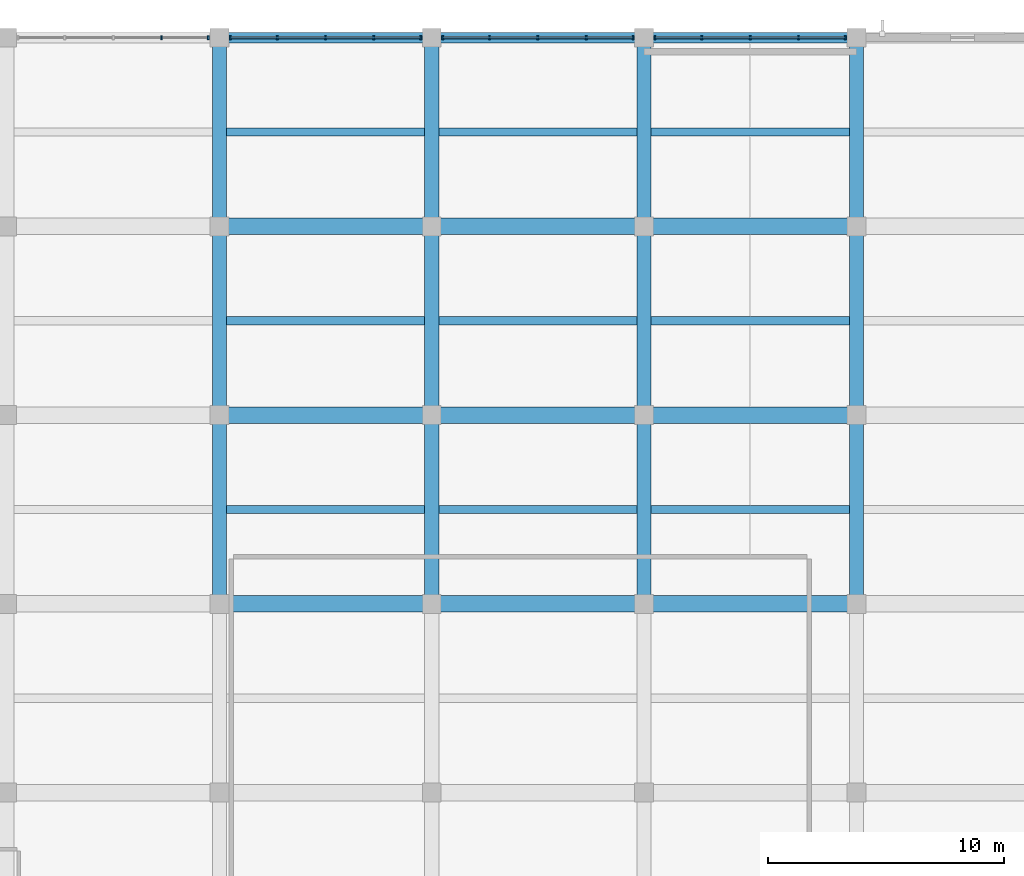
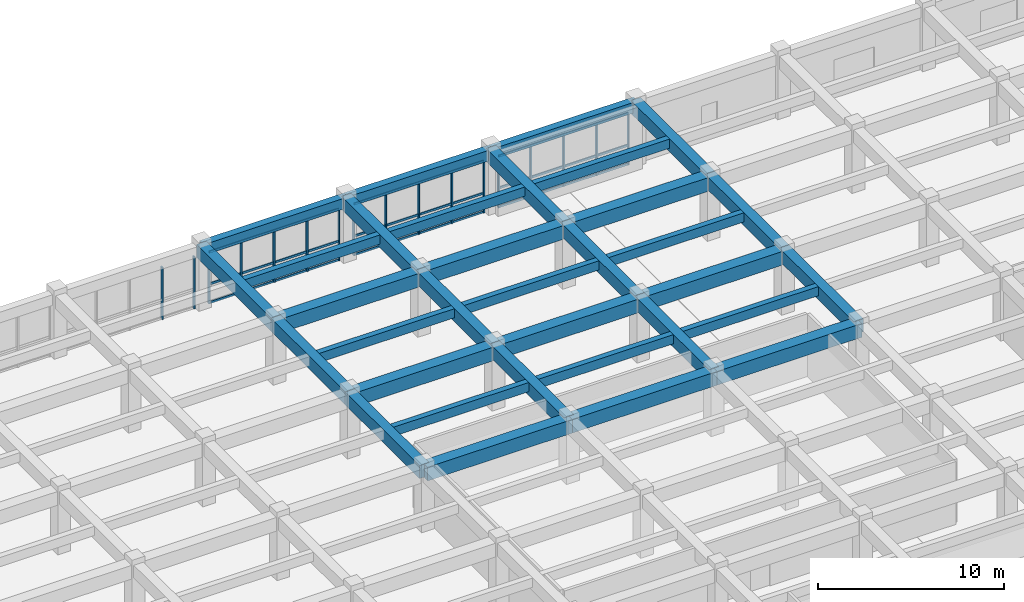
# One storey, part 17 of 50: 33 beams, 26 members, 4 elements without a shape of their own.
"""IFC4 building model written with IfcOpenShell, lengths in metres."""

from ifc_helpers import new_model, si_unit, direction, frame, origin, origin_2d, place, context, subcontext, project, spatial, rectangle, extrude, material, material_profile, profile_set, type_object, element, aggregate, save


model = new_model("IFC4")

# Units and contexts
model_context = context("Model", 3, precision=1e-05, world=origin(), true_north=direction((0.0, 1.0)))
body_context = subcontext(model_context, "Body", "Model", "MODEL_VIEW")
ifc_project = project(units=[si_unit("LENGTHUNIT", "METRE"), si_unit("AREAUNIT", "SQUARE_METRE"), si_unit("VOLUMEUNIT", "CUBIC_METRE"), si_unit("PLANEANGLEUNIT", "RADIAN"), si_unit("MASSUNIT", "GRAM", prefix="KILO")], contexts=[model_context])

# Site, building, storey
site_placement = place(None, origin())
site = spatial("IfcSite", under=ifc_project, at=site_placement, CompositionType="ELEMENT")
building_placement = place(site_placement, origin())
building = spatial("IfcBuilding", under=site, at=building_placement, Name="Zaverband Oceanarium and Marine Research Institute", CompositionType="ELEMENT")
storey_placement = place(building_placement, frame((0.0, 0.0, 9.0)))
storey = spatial("IfcBuildingStorey", under=building, at=storey_placement, Name="L02", CompositionType="ELEMENT", Elevation=9.0)

# Beams
ifc_material_1 = material(Name="Concrete C40/50", Category="concrete")
ifc_material_profile_1 = material_profile(ifc_material_1, rectangle(XDim=0.60009765625, YDim=0.85009765625, at=origin_2d()), Name="RC600x850")
ifc_profile_set_1 = profile_set([ifc_material_profile_1], Name="Concrete C40/50")
beam_type_1 = type_object("IfcBeamType", Name="BM-600x850", PredefinedType="BEAM", material=ifc_profile_set_1)
for number, where, z_axis, x_axis, name in (
    (1, (99.0, 96.0, 3.715087890625), (0.0, 1.0, 0.0), (-1.0, 0.0, 0.0), "Primary floor girder BM-600x850"),
    (2, (99.0, 104.0, 3.715087890625), (0.0, 1.0, 0.0), (-1.0, 0.0, 0.0), "Primary floor girder BM-600x850"),
    (3, (99.0, 112.0, 3.715087890625), (0.0, 1.0, 0.0), (-1.0, 0.0, 0.0), "Primary floor girder BM-600x850"),
    (4, (108.0, 96.0, 3.715087890625), (0.0, 1.0, 0.0), (-1.0, 0.0, 0.0), "Primary floor girder BM-600x850"),
    (5, (108.0, 104.0, 3.715087890625), (0.0, 1.0, 0.0), (-1.0, 0.0, 0.0), "Primary floor girder BM-600x850"),
    (6, (108.0, 112.0, 3.715087890625), (0.0, 1.0, 0.0), (-1.0, 0.0, 0.0), "Primary floor girder BM-600x850"),
    (7, (117.0, 96.0, 3.715087890625), (0.0, 1.0, 0.0), (-1.0, 0.0, 0.0), "Primary floor girder BM-600x850"),
    (8, (117.0, 104.0, 3.715087890625), (0.0, 1.0, 0.0), (-1.0, 0.0, 0.0), "Primary floor girder BM-600x850"),
    (9, (117.0, 112.0, 3.715087890625), (0.0, 1.0, 0.0), (-1.0, 0.0, 0.0), "Primary floor girder BM-600x850"),
    (10, (126.0, 96.0, 3.715087890625), (0.0, 1.0, 0.0), (-1.0, 0.0, 0.0), "Primary floor girder BM-600x850"),
    (11, (126.0, 104.0, 3.715087890625), (0.0, 1.0, 0.0), (-1.0, 0.0, 0.0), "Primary floor girder BM-600x850"),
    (12, (126.0, 112.0, 3.715087890625), (0.0, 1.0, 0.0), (-1.0, 0.0, 0.0), "Primary floor girder BM-600x850"),
):
    element("IfcBeam", number, at=place(storey_placement, frame(where, z_axis=z_axis, x_axis=x_axis)), inside=storey, type_object=beam_type_1, Name=name, PredefinedType="BEAM", context=body_context, shape_type="SweptSolid", body=[
        extrude(rectangle(XDim=0.60009765625, YDim=0.85009765625, at=origin_2d()), origin(), (0.0, 0.0, 1.0), 8.0),
    ])
ifc_material_profile_2 = material_profile(ifc_material_1, rectangle(XDim=0.699951171875, YDim=0.89990234375, at=origin_2d()), Name="RC700x900")
ifc_profile_set_2 = profile_set([ifc_material_profile_2], Name="Concrete C40/50")
beam_type_2 = type_object("IfcBeamType", Name="BM-700x900", PredefinedType="BEAM", material=ifc_profile_set_2)
for number, where, z_axis, x_axis, name in (
    (13, (99.0, 96.0, 3.68994140625), (1.0, 0.0, 0.0), (0.0, 1.0, 0.0), "Primary floor girder BM-700x900"),
    (14, (108.0, 96.0, 3.68994140625), (1.0, 0.0, 0.0), (0.0, 1.0, 0.0), "Primary floor girder BM-700x900"),
    (15, (117.0, 96.0, 3.68994140625), (1.0, 0.0, 0.0), (0.0, 1.0, 0.0), "Primary floor girder BM-700x900"),
    (16, (99.0, 104.0, 3.68994140625), (1.0, 0.0, 0.0), (0.0, 1.0, 0.0), "Primary floor girder BM-700x900"),
    (17, (108.0, 104.0, 3.68994140625), (1.0, 0.0, 0.0), (0.0, 1.0, 0.0), "Primary floor girder BM-700x900"),
    (18, (117.0, 104.0, 3.68994140625), (1.0, 0.0, 0.0), (0.0, 1.0, 0.0), "Primary floor girder BM-700x900"),
    (19, (99.0, 112.0, 3.68994140625), (1.0, 0.0, 0.0), (0.0, 1.0, 0.0), "Primary floor girder BM-700x900"),
    (20, (108.0, 112.0, 3.68994140625), (1.0, 0.0, 0.0), (0.0, 1.0, 0.0), "Primary floor girder BM-700x900"),
    (21, (117.0, 112.0, 3.68994140625), (1.0, 0.0, 0.0), (0.0, 1.0, 0.0), "Primary floor girder BM-700x900"),
):
    element("IfcBeam", number, at=place(storey_placement, frame(where, z_axis=z_axis, x_axis=x_axis)), inside=storey, type_object=beam_type_2, Name=name, PredefinedType="BEAM", context=body_context, shape_type="SweptSolid", body=[
        extrude(rectangle(XDim=0.699951171875, YDim=0.89990234375, at=origin_2d()), origin(), (0.0, 0.0, 1.0), 9.0),
    ])
ifc_material_profile_3 = material_profile(ifc_material_1, rectangle(XDim=0.35009765625, YDim=0.60009765625, at=origin_2d()), Name="RC350x600")
ifc_profile_set_3 = profile_set([ifc_material_profile_3], Name="Concrete C40/50")
beam_type_3 = type_object("IfcBeamType", Name="JST-350x600", PredefinedType="JOIST", material=ifc_profile_set_3)
for number, where, z_axis, x_axis, name in (
    (22, (99.300048828125, 100.0, 3.840087890625), (1.0, 0.0, 0.0), (0.0, 1.0, 0.0), "Secondary floor joist JST-350x600"),
    (23, (99.300048828125, 108.0, 3.840087890625), (1.0, 0.0, 0.0), (0.0, 1.0, 0.0), "Secondary floor joist JST-350x600"),
    (24, (99.300048828125, 116.0, 3.840087890625), (1.0, 0.0, 0.0), (0.0, 1.0, 0.0), "Secondary floor joist JST-350x600"),
    (25, (108.300048828125, 100.0, 3.840087890625), (1.0, 0.0, 0.0), (0.0, 1.0, 0.0), "Secondary floor joist JST-350x600"),
    (26, (108.300048828125, 108.0, 3.840087890625), (1.0, 0.0, 0.0), (0.0, 1.0, 0.0), "Secondary floor joist JST-350x600"),
    (27, (108.300048828125, 116.0, 3.840087890625), (1.0, 0.0, 0.0), (0.0, 1.0, 0.0), "Secondary floor joist JST-350x600"),
    (28, (117.300048828125, 100.0, 3.840087890625), (1.0, 0.0, 0.0), (0.0, 1.0, 0.0), "Secondary floor joist JST-350x600"),
    (29, (117.300048828125, 108.0, 3.840087890625), (1.0, 0.0, 0.0), (0.0, 1.0, 0.0), "Secondary floor joist JST-350x600"),
    (30, (117.300048828125, 116.0, 3.840087890625), (1.0, 0.0, 0.0), (0.0, 1.0, 0.0), "Secondary floor joist JST-350x600"),
):
    element("IfcBeam", number, at=place(storey_placement, frame(where, z_axis=z_axis, x_axis=x_axis)), inside=storey, type_object=beam_type_3, Name=name, PredefinedType="JOIST", context=body_context, shape_type="SweptSolid", body=[
        extrude(rectangle(XDim=0.35009765625, YDim=0.60009765625, at=origin_2d()), origin(), (0.0, 0.0, 1.0), 8.39990234375),
    ])

# Curtain wall, members
ifc_material_2 = material(Name="Thermally broken anodized aluminium and solar-control glass", Category="aluminium")
curtain_wall_type = type_object("IfcCurtainWallType", Name="CW-UNIT-1800", PredefinedType="NOTDEFINED", material=ifc_material_2)
curtain_wall_1_placement = place(storey_placement, origin())
curtain_wall_1 = element("IfcCurtainWall", 31, at=curtain_wall_1_placement, inside=storey, type_object=curtain_wall_type, Name="Unitised glazed curtain wall CW-048", PredefinedType="NOTDEFINED")
ifc_material_3 = material(Name="Thermally broken anodized aluminium", Category="aluminium")
ifc_material_profile_4 = material_profile(ifc_material_3, rectangle(XDim=0.080078125, YDim=0.179931640625, at=origin_2d()), Name="AL-MUL-80x180")
ifc_profile_set_4 = profile_set([ifc_material_profile_4], Name="Thermally broken anodized aluminium")
member_type_1 = type_object("IfcMemberType", Name="MUL-80x180", PredefinedType="MULLION", material=ifc_profile_set_4)
member_1_placement = place(storey_placement, frame((96.547607421875, 120.0, 0.0), z_axis=(0.0, 0.0, 1.0), x_axis=(1.0, 0.0, 0.0)))
member_1 = element("IfcMember", 32, at=member_1_placement, type_object=member_type_1, Name="Curtain wall vertical mullion MUL-80x180", PredefinedType="MULLION", context=body_context, shape_type="SweptSolid", body=[
    extrude(rectangle(XDim=0.080078125, YDim=0.179931640625, at=origin_2d()), origin(), (0.0, 0.0, 1.0), 3.419921875),
])
member_2_placement = place(storey_placement, frame((98.534912109375, 120.0, 0.0), z_axis=(0.0, 0.0, 1.0), x_axis=(1.0, 0.0, 0.0)))
member_2 = element("IfcMember", 33, at=member_2_placement, type_object=member_type_1, Name="Curtain wall vertical mullion MUL-80x180", PredefinedType="MULLION", context=body_context, shape_type="SweptSolid", body=[
    extrude(rectangle(XDim=0.080078125, YDim=0.179931640625, at=origin_2d()), origin(), (0.0, 0.0, 1.0), 3.419921875),
])
aggregate(curtain_wall_1, [member_1, member_2])

curtain_wall_2_placement = place(storey_placement, origin())
curtain_wall_2 = element("IfcCurtainWall", 34, at=curtain_wall_2_placement, inside=storey, type_object=curtain_wall_type, Name="Unitised glazed curtain wall CW-049", PredefinedType="NOTDEFINED")
member_3_placement = place(storey_placement, frame((99.465087890625, 120.0, 0.0), z_axis=(0.0, 0.0, 1.0), x_axis=(1.0, 0.0, 0.0)))
member_3 = element("IfcMember", 35, at=member_3_placement, type_object=member_type_1, Name="Curtain wall vertical mullion MUL-80x180", PredefinedType="MULLION", context=body_context, shape_type="SweptSolid", body=[
    extrude(rectangle(XDim=0.080078125, YDim=0.179931640625, at=origin_2d()), origin(), (0.0, 0.0, 1.0), 3.419921875),
])
member_4_placement = place(storey_placement, frame((101.452392578125, 120.0, 0.0), z_axis=(0.0, 0.0, 1.0), x_axis=(1.0, 0.0, 0.0)))
member_4 = element("IfcMember", 36, at=member_4_placement, type_object=member_type_1, Name="Curtain wall vertical mullion MUL-80x180", PredefinedType="MULLION", context=body_context, shape_type="SweptSolid", body=[
    extrude(rectangle(XDim=0.080078125, YDim=0.179931640625, at=origin_2d()), origin(), (0.0, 0.0, 1.0), 3.419921875),
])
member_5_placement = place(storey_placement, frame((103.5, 120.0, 0.0), z_axis=(0.0, 0.0, 1.0), x_axis=(1.0, 0.0, 0.0)))
member_5 = element("IfcMember", 37, at=member_5_placement, type_object=member_type_1, Name="Curtain wall vertical mullion MUL-80x180", PredefinedType="MULLION", context=body_context, shape_type="SweptSolid", body=[
    extrude(rectangle(XDim=0.080078125, YDim=0.179931640625, at=origin_2d()), origin(), (0.0, 0.0, 1.0), 3.419921875),
])
member_6_placement = place(storey_placement, frame((105.547607421875, 120.0, 0.0), z_axis=(0.0, 0.0, 1.0), x_axis=(1.0, 0.0, 0.0)))
member_6 = element("IfcMember", 38, at=member_6_placement, type_object=member_type_1, Name="Curtain wall vertical mullion MUL-80x180", PredefinedType="MULLION", context=body_context, shape_type="SweptSolid", body=[
    extrude(rectangle(XDim=0.080078125, YDim=0.179931640625, at=origin_2d()), origin(), (0.0, 0.0, 1.0), 3.419921875),
])
member_7_placement = place(storey_placement, frame((107.534912109375, 120.0, 0.0), z_axis=(0.0, 0.0, 1.0), x_axis=(1.0, 0.0, 0.0)))
member_7 = element("IfcMember", 39, at=member_7_placement, type_object=member_type_1, Name="Curtain wall vertical mullion MUL-80x180", PredefinedType="MULLION", context=body_context, shape_type="SweptSolid", body=[
    extrude(rectangle(XDim=0.080078125, YDim=0.179931640625, at=origin_2d()), origin(), (0.0, 0.0, 1.0), 3.419921875),
])

curtain_wall_3_placement = place(storey_placement, origin())
curtain_wall_3 = element("IfcCurtainWall", 40, at=curtain_wall_3_placement, inside=storey, type_object=curtain_wall_type, Name="Unitised glazed curtain wall CW-050", PredefinedType="NOTDEFINED")
member_8_placement = place(storey_placement, frame((108.465087890625, 120.0, 0.0), z_axis=(0.0, 0.0, 1.0), x_axis=(1.0, 0.0, 0.0)))
member_8 = element("IfcMember", 41, at=member_8_placement, type_object=member_type_1, Name="Curtain wall vertical mullion MUL-80x180", PredefinedType="MULLION", context=body_context, shape_type="SweptSolid", body=[
    extrude(rectangle(XDim=0.080078125, YDim=0.179931640625, at=origin_2d()), origin(), (0.0, 0.0, 1.0), 3.419921875),
])
member_9_placement = place(storey_placement, frame((110.452392578125, 120.0, 0.0), z_axis=(0.0, 0.0, 1.0), x_axis=(1.0, 0.0, 0.0)))
member_9 = element("IfcMember", 42, at=member_9_placement, type_object=member_type_1, Name="Curtain wall vertical mullion MUL-80x180", PredefinedType="MULLION", context=body_context, shape_type="SweptSolid", body=[
    extrude(rectangle(XDim=0.080078125, YDim=0.179931640625, at=origin_2d()), origin(), (0.0, 0.0, 1.0), 3.419921875),
])
member_10_placement = place(storey_placement, frame((112.5, 120.0, 0.0), z_axis=(0.0, 0.0, 1.0), x_axis=(1.0, 0.0, 0.0)))
member_10 = element("IfcMember", 43, at=member_10_placement, type_object=member_type_1, Name="Curtain wall vertical mullion MUL-80x180", PredefinedType="MULLION", context=body_context, shape_type="SweptSolid", body=[
    extrude(rectangle(XDim=0.080078125, YDim=0.179931640625, at=origin_2d()), origin(), (0.0, 0.0, 1.0), 3.419921875),
])
member_11_placement = place(storey_placement, frame((114.547607421875, 120.0, 0.0), z_axis=(0.0, 0.0, 1.0), x_axis=(1.0, 0.0, 0.0)))
member_11 = element("IfcMember", 44, at=member_11_placement, type_object=member_type_1, Name="Curtain wall vertical mullion MUL-80x180", PredefinedType="MULLION", context=body_context, shape_type="SweptSolid", body=[
    extrude(rectangle(XDim=0.080078125, YDim=0.179931640625, at=origin_2d()), origin(), (0.0, 0.0, 1.0), 3.419921875),
])
member_12_placement = place(storey_placement, frame((116.534912109375, 120.0, 0.0), z_axis=(0.0, 0.0, 1.0), x_axis=(1.0, 0.0, 0.0)))
member_12 = element("IfcMember", 45, at=member_12_placement, type_object=member_type_1, Name="Curtain wall vertical mullion MUL-80x180", PredefinedType="MULLION", context=body_context, shape_type="SweptSolid", body=[
    extrude(rectangle(XDim=0.080078125, YDim=0.179931640625, at=origin_2d()), origin(), (0.0, 0.0, 1.0), 3.419921875),
])

curtain_wall_4_placement = place(storey_placement, origin())
curtain_wall_4 = element("IfcCurtainWall", 46, at=curtain_wall_4_placement, inside=storey, type_object=curtain_wall_type, Name="Unitised glazed curtain wall CW-051", PredefinedType="NOTDEFINED")
member_13_placement = place(storey_placement, frame((117.465087890625, 120.0, 0.0), z_axis=(0.0, 0.0, 1.0), x_axis=(1.0, 0.0, 0.0)))
member_13 = element("IfcMember", 47, at=member_13_placement, type_object=member_type_1, Name="Curtain wall vertical mullion MUL-80x180", PredefinedType="MULLION", context=body_context, shape_type="SweptSolid", body=[
    extrude(rectangle(XDim=0.080078125, YDim=0.179931640625, at=origin_2d()), origin(), (0.0, 0.0, 1.0), 3.419921875),
])
member_14_placement = place(storey_placement, frame((119.452392578125, 120.0, 0.0), z_axis=(0.0, 0.0, 1.0), x_axis=(1.0, 0.0, 0.0)))
member_14 = element("IfcMember", 48, at=member_14_placement, type_object=member_type_1, Name="Curtain wall vertical mullion MUL-80x180", PredefinedType="MULLION", context=body_context, shape_type="SweptSolid", body=[
    extrude(rectangle(XDim=0.080078125, YDim=0.179931640625, at=origin_2d()), origin(), (0.0, 0.0, 1.0), 3.419921875),
])
member_15_placement = place(storey_placement, frame((121.5, 120.0, 0.0), z_axis=(0.0, 0.0, 1.0), x_axis=(1.0, 0.0, 0.0)))
member_15 = element("IfcMember", 49, at=member_15_placement, type_object=member_type_1, Name="Curtain wall vertical mullion MUL-80x180", PredefinedType="MULLION", context=body_context, shape_type="SweptSolid", body=[
    extrude(rectangle(XDim=0.080078125, YDim=0.179931640625, at=origin_2d()), origin(), (0.0, 0.0, 1.0), 3.419921875),
])
member_16_placement = place(storey_placement, frame((123.547607421875, 120.0, 0.0), z_axis=(0.0, 0.0, 1.0), x_axis=(1.0, 0.0, 0.0)))
member_16 = element("IfcMember", 50, at=member_16_placement, type_object=member_type_1, Name="Curtain wall vertical mullion MUL-80x180", PredefinedType="MULLION", context=body_context, shape_type="SweptSolid", body=[
    extrude(rectangle(XDim=0.080078125, YDim=0.179931640625, at=origin_2d()), origin(), (0.0, 0.0, 1.0), 3.419921875),
])
member_17_placement = place(storey_placement, frame((125.534912109375, 120.0, 0.0), z_axis=(0.0, 0.0, 1.0), x_axis=(1.0, 0.0, 0.0)))
member_17 = element("IfcMember", 51, at=member_17_placement, type_object=member_type_1, Name="Curtain wall vertical mullion MUL-80x180", PredefinedType="MULLION", context=body_context, shape_type="SweptSolid", body=[
    extrude(rectangle(XDim=0.080078125, YDim=0.179931640625, at=origin_2d()), origin(), (0.0, 0.0, 1.0), 3.419921875),
])

# Beams
ifc_material_profile_5 = material_profile(ifc_material_1, rectangle(XDim=0.449951171875, YDim=0.699951171875, at=origin_2d()), Name="RC450x700")
ifc_profile_set_5 = profile_set([ifc_material_profile_5], Name="Concrete C40/50")
beam_type_4 = type_object("IfcBeamType", Name="SPN-450x700", PredefinedType="SPANDREL", material=ifc_profile_set_5)
for number, where, z_axis, x_axis, name in (
    (52, (99.0, 120.0, 3.7900390625), (1.0, 0.0, 0.0), (0.0, 1.0, 0.0), "Perimeter spandrel beam SPN-450x700"),
    (53, (108.0, 120.0, 3.7900390625), (1.0, 0.0, 0.0), (0.0, 1.0, 0.0), "Perimeter spandrel beam SPN-450x700"),
    (54, (117.0, 120.0, 3.7900390625), (1.0, 0.0, 0.0), (0.0, 1.0, 0.0), "Perimeter spandrel beam SPN-450x700"),
):
    element("IfcBeam", number, at=place(storey_placement, frame(where, z_axis=z_axis, x_axis=x_axis)), inside=storey, type_object=beam_type_4, Name=name, PredefinedType="SPANDREL", context=body_context, shape_type="SweptSolid", body=[
        extrude(rectangle(XDim=0.449951171875, YDim=0.699951171875, at=origin_2d()), origin(), (0.0, 0.0, 1.0), 9.0),
    ])

# Member
ifc_material_profile_6 = material_profile(ifc_material_3, rectangle(XDim=0.080078125, YDim=0.139892578125, at=origin_2d()), Name="AL-TRN-80x140")
ifc_profile_set_6 = profile_set([ifc_material_profile_6], Name="Thermally broken anodized aluminium")
member_type_2 = type_object("IfcMemberType", Name="TRN-80x140", PredefinedType="USERDEFINED", material=ifc_profile_set_6)
member_18_placement = place(storey_placement, frame((99.465087890625, 120.0, 0.050048828125), z_axis=(1.0, 0.0, 0.0), x_axis=(0.0, 1.0, 0.0)))
member_18 = element("IfcMember", 55, at=member_18_placement, type_object=member_type_2, Name="Curtain wall horizontal transom TRN-80x140", ObjectType="TRANSOM", PredefinedType="USERDEFINED", context=body_context, shape_type="SweptSolid", body=[
    extrude(rectangle(XDim=0.080078125, YDim=0.139892578125, at=origin_2d()), origin(), (0.0, 0.0, 1.0), 8.06982421875),
])

member_19_placement = place(storey_placement, frame((99.465087890625, 120.0, 1.277099609375), z_axis=(1.0, 0.0, 0.0), x_axis=(0.0, 1.0, 0.0)))
member_19 = element("IfcMember", 56, at=member_19_placement, type_object=member_type_2, Name="Curtain wall horizontal transom TRN-80x140", ObjectType="TRANSOM", PredefinedType="USERDEFINED", context=body_context, shape_type="SweptSolid", body=[
    extrude(rectangle(XDim=0.080078125, YDim=0.139892578125, at=origin_2d()), origin(), (0.0, 0.0, 1.0), 8.06982421875),
])

member_20_placement = place(storey_placement, frame((99.465087890625, 120.0, 3.3701171875), z_axis=(1.0, 0.0, 0.0), x_axis=(0.0, 1.0, 0.0)))
member_20 = element("IfcMember", 57, at=member_20_placement, type_object=member_type_2, Name="Curtain wall horizontal transom TRN-80x140", ObjectType="TRANSOM", PredefinedType="USERDEFINED", context=body_context, shape_type="SweptSolid", body=[
    extrude(rectangle(XDim=0.080078125, YDim=0.139892578125, at=origin_2d()), origin(), (0.0, 0.0, 1.0), 8.06982421875),
])

aggregate(curtain_wall_2, [member_3, member_4, member_5, member_6, member_7, member_18, member_19, member_20])

member_21_placement = place(storey_placement, frame((108.465087890625, 120.0, 0.050048828125), z_axis=(1.0, 0.0, 0.0), x_axis=(0.0, 1.0, 0.0)))
member_21 = element("IfcMember", 58, at=member_21_placement, type_object=member_type_2, Name="Curtain wall horizontal transom TRN-80x140", ObjectType="TRANSOM", PredefinedType="USERDEFINED", context=body_context, shape_type="SweptSolid", body=[
    extrude(rectangle(XDim=0.080078125, YDim=0.139892578125, at=origin_2d()), origin(), (0.0, 0.0, 1.0), 8.06982421875),
])

member_22_placement = place(storey_placement, frame((108.465087890625, 120.0, 1.277099609375), z_axis=(1.0, 0.0, 0.0), x_axis=(0.0, 1.0, 0.0)))
member_22 = element("IfcMember", 59, at=member_22_placement, type_object=member_type_2, Name="Curtain wall horizontal transom TRN-80x140", ObjectType="TRANSOM", PredefinedType="USERDEFINED", context=body_context, shape_type="SweptSolid", body=[
    extrude(rectangle(XDim=0.080078125, YDim=0.139892578125, at=origin_2d()), origin(), (0.0, 0.0, 1.0), 8.06982421875),
])

member_23_placement = place(storey_placement, frame((108.465087890625, 120.0, 3.3701171875), z_axis=(1.0, 0.0, 0.0), x_axis=(0.0, 1.0, 0.0)))
member_23 = element("IfcMember", 60, at=member_23_placement, type_object=member_type_2, Name="Curtain wall horizontal transom TRN-80x140", ObjectType="TRANSOM", PredefinedType="USERDEFINED", context=body_context, shape_type="SweptSolid", body=[
    extrude(rectangle(XDim=0.080078125, YDim=0.139892578125, at=origin_2d()), origin(), (0.0, 0.0, 1.0), 8.06982421875),
])

aggregate(curtain_wall_3, [member_8, member_9, member_10, member_11, member_12, member_21, member_22, member_23])

member_24_placement = place(storey_placement, frame((117.465087890625, 120.0, 0.050048828125), z_axis=(1.0, 0.0, 0.0), x_axis=(0.0, 1.0, 0.0)))
member_24 = element("IfcMember", 61, at=member_24_placement, type_object=member_type_2, Name="Curtain wall horizontal transom TRN-80x140", ObjectType="TRANSOM", PredefinedType="USERDEFINED", context=body_context, shape_type="SweptSolid", body=[
    extrude(rectangle(XDim=0.080078125, YDim=0.139892578125, at=origin_2d()), origin(), (0.0, 0.0, 1.0), 8.06982421875),
])

member_25_placement = place(storey_placement, frame((117.465087890625, 120.0, 1.277099609375), z_axis=(1.0, 0.0, 0.0), x_axis=(0.0, 1.0, 0.0)))
member_25 = element("IfcMember", 62, at=member_25_placement, type_object=member_type_2, Name="Curtain wall horizontal transom TRN-80x140", ObjectType="TRANSOM", PredefinedType="USERDEFINED", context=body_context, shape_type="SweptSolid", body=[
    extrude(rectangle(XDim=0.080078125, YDim=0.139892578125, at=origin_2d()), origin(), (0.0, 0.0, 1.0), 8.06982421875),
])

member_26_placement = place(storey_placement, frame((117.465087890625, 120.0, 3.3701171875), z_axis=(1.0, 0.0, 0.0), x_axis=(0.0, 1.0, 0.0)))
member_26 = element("IfcMember", 63, at=member_26_placement, type_object=member_type_2, Name="Curtain wall horizontal transom TRN-80x140", ObjectType="TRANSOM", PredefinedType="USERDEFINED", context=body_context, shape_type="SweptSolid", body=[
    extrude(rectangle(XDim=0.080078125, YDim=0.139892578125, at=origin_2d()), origin(), (0.0, 0.0, 1.0), 8.06982421875),
])

aggregate(curtain_wall_4, [member_13, member_14, member_15, member_16, member_17, member_24, member_25, member_26])

save(model, "model.ifc")
